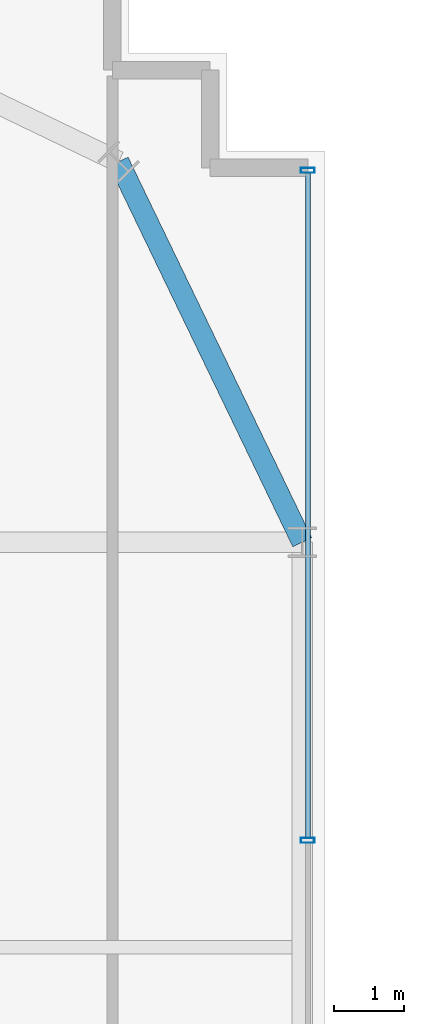
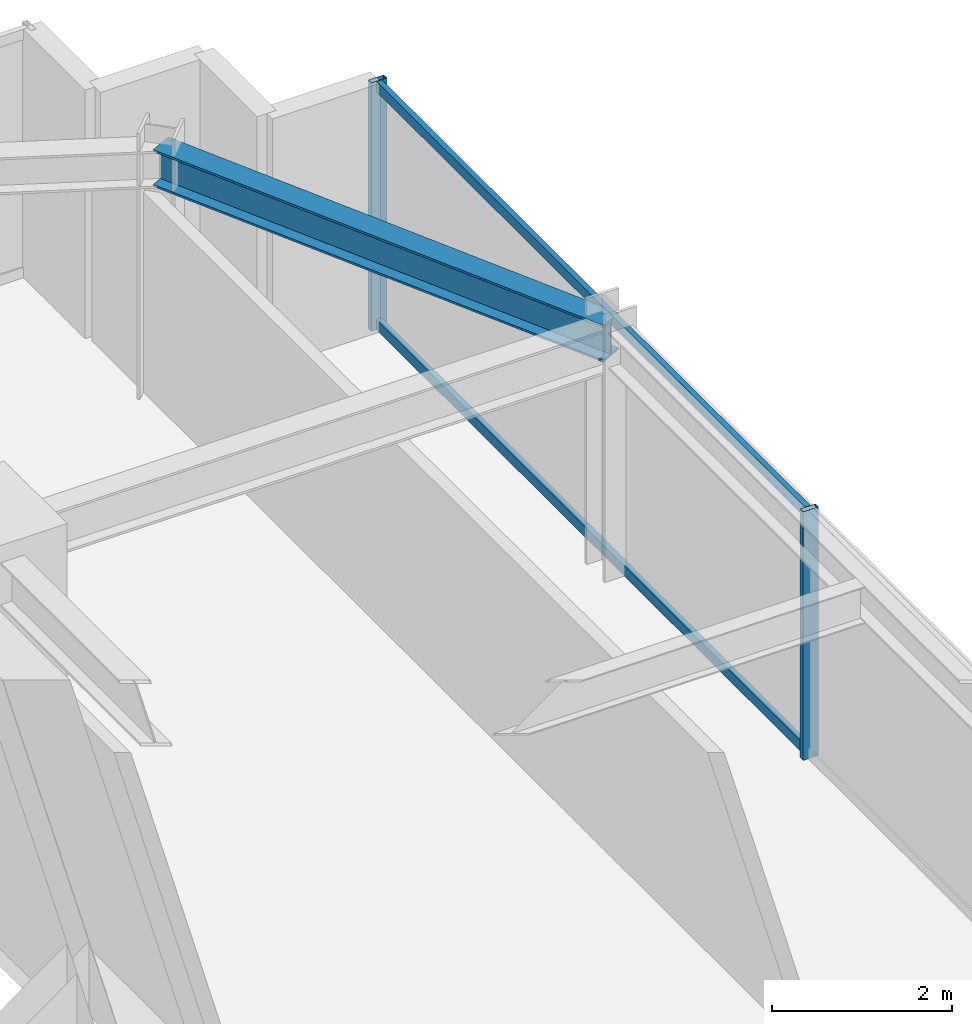
# One storey, part 30 of 41: 4 members, 1 beam, 1 element without a shape of its own.
"""IFC4 building model written with IfcOpenShell, lengths in metres."""

from ifc_helpers import new_model, si_unit, direction, frame, origin, origin_2d, place, context, subcontext, project, spatial, hollow_rectangle, i_section, extrude, source, transform, mapped, material, material_profile, profile_set, type_object, element, aggregate, save


model = new_model("IFC4")

# Units and contexts
model_context = context("Model", 3, precision=1e-05, world=origin(), true_north=direction((0.0, 1.0)))
body_context = subcontext(model_context, "Body", "Model", "MODEL_VIEW")
ifc_project = project(units=[si_unit("LENGTHUNIT", "METRE"), si_unit("AREAUNIT", "SQUARE_METRE"), si_unit("VOLUMEUNIT", "CUBIC_METRE"), si_unit("PLANEANGLEUNIT", "RADIAN"), si_unit("MASSUNIT", "GRAM", prefix="KILO")], contexts=[model_context])

# Site, building, storey
site_placement = place(None, origin())
site = spatial("IfcSite", under=ifc_project, at=site_placement, CompositionType="ELEMENT")
building_placement = place(site_placement, origin())
building = spatial("IfcBuilding", under=site, at=building_placement, Name="Nahalor Promenade Grand Hotel", CompositionType="ELEMENT")
storey_placement = place(building_placement, frame((0.0, 0.0, 54.300048828125)))
storey = spatial("IfcBuildingStorey", under=building, at=storey_placement, Name="L12", CompositionType="ELEMENT", Elevation=54.300048828125)

# Beam
ifc_material_1 = material(Name="Steel S355JR", Category="steel")
ifc_material_profile_1 = material_profile(ifc_material_1, i_section(OverallWidth=0.3, OverallDepth=0.5, WebThickness=0.0145, FlangeThickness=0.028, at=origin_2d()), Name="HEB 500")
ifc_profile_set_1 = profile_set([ifc_material_profile_1], Name="Steel S355JR")
beam_type = type_object("IfcBeamType", Name="Beam-Spandrel-HEB500", PredefinedType="SPANDREL", material=ifc_profile_set_1)
shared_shape_1 = source(origin(), body_context, "Body", "SweptSolid", [
    extrude(i_section(OverallWidth=0.3, OverallDepth=0.5, WebThickness=0.0145, FlangeThickness=0.028, at=origin_2d()), origin(), (0.0, 0.0, 1.0), 6.051513671875),
])
beam_placement = place(storey_placement, frame((22.449951171875, 22.449951171875, 3.119873046875), z_axis=(0.434630596492, -0.900608818852, 0.0), x_axis=(0.900608818852, 0.434630596492, 0.0)))
element("IfcBeam", 1, at=beam_placement, inside=storey, type_object=beam_type, Name="BM-L12-SPC-NE-2", PredefinedType="SPANDREL", context=body_context, shape_type="MappedRepresentation", body=[
    mapped(shared_shape_1, transform((0.0, 0.0, 0.0), scale=1.0)),
])

# Curtain wall, members
ifc_material_2 = material(Name="Anodised Bronze Aluminium EN AW-6063 T6", Category="aluminium")
curtain_wall_type = type_object("IfcCurtainWallType", Name="CW3 Elliptical-Void Collar Unitised Curtain Wall", PredefinedType="USERDEFINED", material=ifc_material_2)
curtain_wall_placement = place(storey_placement, origin())
curtain_wall = element("IfcCurtainWall", 2, at=curtain_wall_placement, inside=storey, type_object=curtain_wall_type, Name="L12 Curtain Wall CW-L12-E-4", ObjectType="UNITISED_CURTAIN_WALL", PredefinedType="USERDEFINED")
ifc_material_profile_2 = material_profile(ifc_material_2, hollow_rectangle(XDim=0.07, YDim=0.2, WallThickness=0.005, at=origin_2d()), Name="CWM 70x200x5")
ifc_profile_set_2 = profile_set([ifc_material_profile_2], Name="Anodised Bronze Aluminium EN AW-6063 T6")
member_type_1 = type_object("IfcMemberType", Name="CWM3 Void Collar Mullion 70x200", PredefinedType="MULLION", material=ifc_profile_set_2)
shared_shape_2 = source(origin(), body_context, "Body", "SweptSolid", [
    extrude(hollow_rectangle(XDim=0.07, YDim=0.2, WallThickness=0.005, at=origin_2d()), origin(), (0.0, 0.0, 1.0), 3.369873046875),
])
member_1_placement = place(storey_placement, frame((25.159912109375, 12.72998046875, 0.0), z_axis=(0.0, 0.0, 1.0), x_axis=(0.0, 1.0, 0.0)))
member_1 = element("IfcMember", 3, at=member_1_placement, type_object=member_type_1, Name="CW-L12-E-4 Mullion 1", PredefinedType="MULLION", context=body_context, shape_type="MappedRepresentation", body=[
    mapped(shared_shape_2, transform((0.0, 0.0, 0.0), scale=1.0)),
])
member_2_placement = place(storey_placement, frame((25.159912109375, 22.324951171875, 0.0), z_axis=(0.0, 0.0, 1.0), x_axis=(0.0, 1.0, 0.0)))
member_2 = element("IfcMember", 4, at=member_2_placement, type_object=member_type_1, Name="CW-L12-E-4 Mullion 2", PredefinedType="MULLION", context=body_context, shape_type="MappedRepresentation", body=[
    mapped(shared_shape_2, transform((0.0, 0.0, 0.0), scale=1.0)),
])
ifc_material_profile_3 = material_profile(ifc_material_2, hollow_rectangle(XDim=0.07, YDim=0.14, WallThickness=0.004, at=origin_2d()), Name="CWT 70x140x4")
ifc_profile_set_3 = profile_set([ifc_material_profile_3], Name="Anodised Bronze Aluminium EN AW-6063 T6")
member_type_2 = type_object("IfcMemberType", Name="CWT3 Void Collar Transom 70x140", PredefinedType="USERDEFINED", material=ifc_profile_set_3)
shared_shape_3 = source(origin(), body_context, "Body", "SweptSolid", [
    extrude(hollow_rectangle(XDim=0.07, YDim=0.14, WallThickness=0.004, at=origin_2d()), origin(), (0.0, 0.0, 1.0), 9.525146484375),
])
member_3_placement = place(storey_placement, frame((25.159912109375, 12.764892578125, 0.070068359375), z_axis=(0.0, 1.0, 0.0), x_axis=(-1.0, 0.0, 0.0)))
member_3 = element("IfcMember", 5, at=member_3_placement, type_object=member_type_2, Name="CW-L12-E-4 Transom 1-0", ObjectType="TRANSOM", PredefinedType="USERDEFINED", context=body_context, shape_type="MappedRepresentation", body=[
    mapped(shared_shape_3, transform((0.0, 0.0, 0.0), scale=1.0)),
])
member_4_placement = place(storey_placement, frame((25.159912109375, 12.764892578125, 3.300048828125), z_axis=(0.0, 1.0, 0.0), x_axis=(-1.0, 0.0, 0.0)))
member_4 = element("IfcMember", 6, at=member_4_placement, type_object=member_type_2, Name="CW-L12-E-4 Transom 1-1", ObjectType="TRANSOM", PredefinedType="USERDEFINED", context=body_context, shape_type="MappedRepresentation", body=[
    mapped(shared_shape_3, transform((0.0, 0.0, 0.0), scale=1.0)),
])
aggregate(curtain_wall, [member_1, member_2, member_3, member_4])

save(model, "model.ifc")
